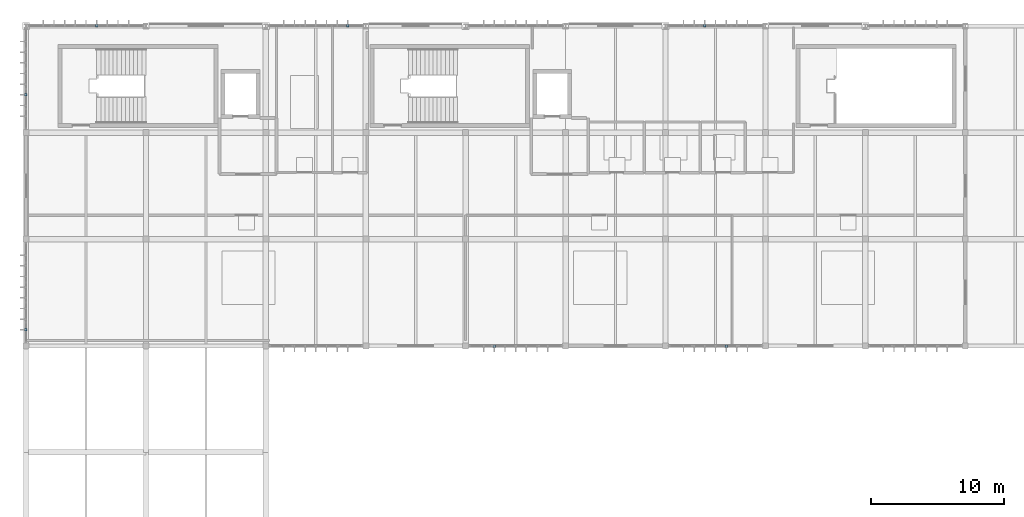
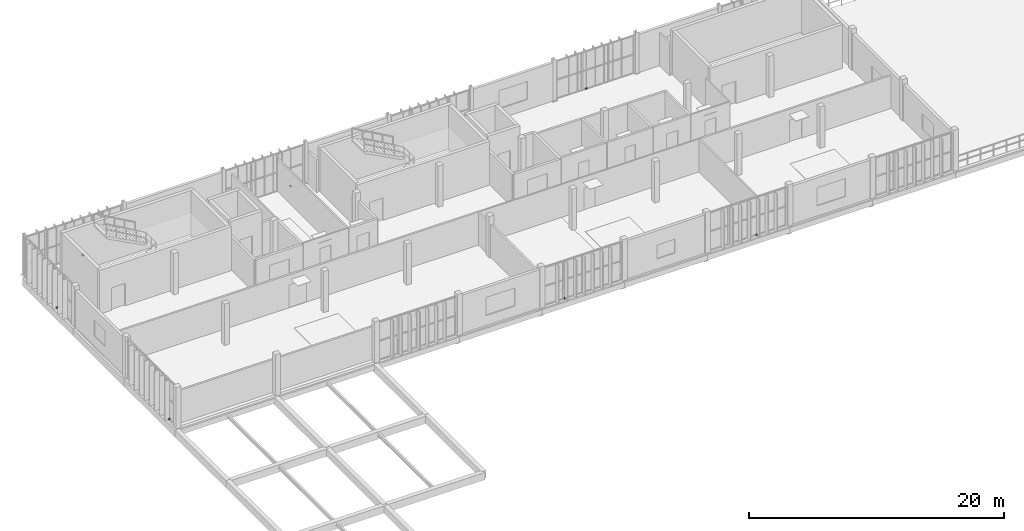
# One storey, part 21 of 26: 7 discrete accessories.
"""IFC4 building model written with IfcOpenShell, lengths in metres."""

from ifc_helpers import new_model, si_unit, direction, frame, origin, origin_2d, place, context, subcontext, project, spatial, rectangle, extrude, material, type_object, element, save


model = new_model("IFC4")

# Units and contexts
model_context = context("Model", 3, precision=1e-05, world=origin(), true_north=direction((0.0, 1.0)))
body_context = subcontext(model_context, "Body", "Model", "MODEL_VIEW")
ifc_project = project(units=[si_unit("LENGTHUNIT", "METRE"), si_unit("AREAUNIT", "SQUARE_METRE"), si_unit("VOLUMEUNIT", "CUBIC_METRE"), si_unit("PLANEANGLEUNIT", "RADIAN"), si_unit("MASSUNIT", "GRAM", prefix="KILO")], contexts=[model_context])

# Site, building, storey
site_placement = place(None, origin())
site = spatial("IfcSite", under=ifc_project, at=site_placement, CompositionType="ELEMENT")
building_placement = place(site_placement, origin())
building = spatial("IfcBuilding", under=site, at=building_placement, Name="Vourika Railside Aquatics Centre", CompositionType="ELEMENT")
storey_placement = place(building_placement, frame((0.0, 0.0, 17.699951171875)))
storey = spatial("IfcBuildingStorey", under=building, at=storey_placement, Name="L04", CompositionType="ELEMENT", Elevation=17.699951171875)

# Discrete accessories
ifc_material = material(Name="Duplex stainless steel EN 1.4462", Category="steel")
discrete_accessory_type = type_object("IfcDiscreteAccessoryType", Name="ACC-BRK-180", PredefinedType="BRACKET", material=ifc_material)
for number, where, z_axis, x_axis, name in (
    (1, (23.300048828125, 116.030029296875, 0.0), (0.0, 0.0, 1.0), (0.0, 1.0, 0.0), "Stainless Fin Shoe Bracket BK-113"),
    (2, (42.14990234375, 116.030029296875, 0.0), (0.0, 0.0, 1.0), (0.0, 1.0, 0.0), "Stainless Fin Shoe Bracket BK-114"),
    (3, (68.949951171875, 116.030029296875, 0.0), (0.0, 0.0, 1.0), (0.0, 1.0, 0.0), "Stainless Fin Shoe Bracket BK-115"),
    (4, (53.14990234375, 91.969970703125, 0.0), (0.0, 0.0, 1.0), (0.0, -1.0, 0.0), "Stainless Fin Shoe Bracket BK-117"),
    (5, (70.550048828125, 91.969970703125, 0.0), (0.0, 0.0, 1.0), (0.0, -1.0, 0.0), "Stainless Fin Shoe Bracket BK-118"),
    (6, (17.969970703125, 93.199951171875, 0.0), (0.0, 0.0, 1.0), (-1.0, 0.0, 0.0), "Stainless Fin Shoe Bracket BK-119"),
    (7, (17.969970703125, 110.83740234375, 0.0), (0.0, 0.0, 1.0), (-1.0, 0.0, 0.0), "Stainless Fin Shoe Bracket BK-120"),
):
    element("IfcDiscreteAccessory", number, at=place(storey_placement, frame(where, z_axis=z_axis, x_axis=x_axis)), inside=storey, type_object=discrete_accessory_type, Name=name, PredefinedType="BRACKET", context=body_context, shape_type="SweptSolid", body=[
        extrude(rectangle(XDim=0.179931640625, YDim=0.179931640625, at=origin_2d()), origin(), (0.0, 0.0, 1.0), 0.1201171875),
    ])

save(model, "model.ifc")
